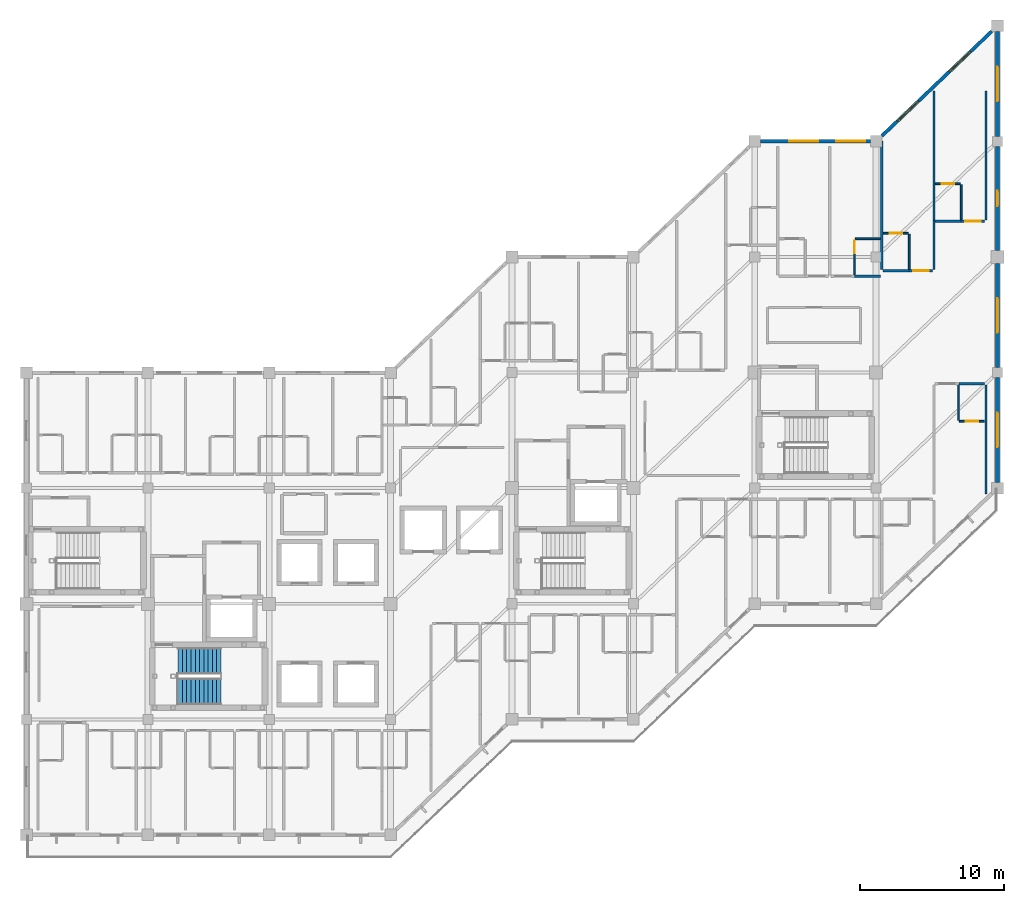
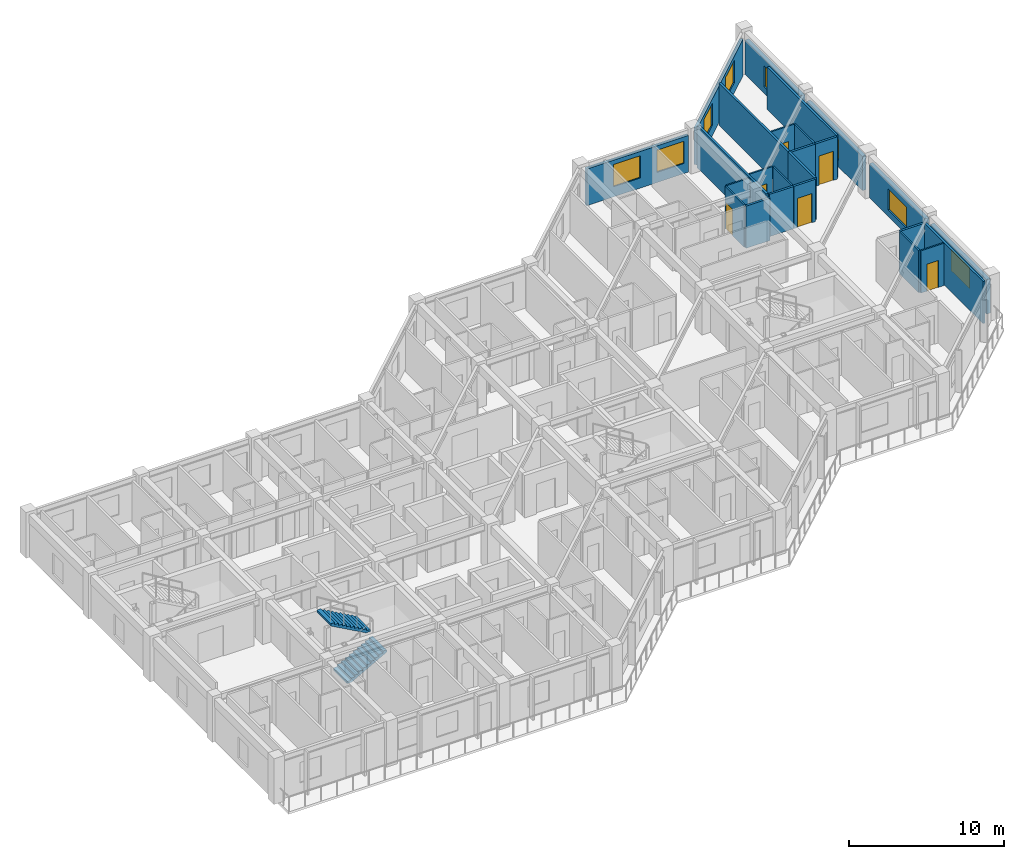
# One storey, part 14 of 17: 25 walls, 8 windows, 6 doors, 2 stair flights, 14 openings, 1 element without a shape of its own.
"""IFC4 building model written with IfcOpenShell, lengths in metres."""

from ifc_helpers import new_model, si_unit, direction, frame, frame_2d, origin, place, context, subcontext, project, spatial, polyline, rectangle, outline, extrude, material, layer, layer_set, type_object, element, fill, aggregate, save


model = new_model("IFC4")

# Units and contexts
model_context = context("Model", 3, precision=1e-05, world=origin(), true_north=direction((0.0, 1.0)))
body_context = subcontext(model_context, "Body", "Model", "MODEL_VIEW")
ifc_project = project(units=[si_unit("LENGTHUNIT", "METRE"), si_unit("AREAUNIT", "SQUARE_METRE"), si_unit("VOLUMEUNIT", "CUBIC_METRE"), si_unit("PLANEANGLEUNIT", "RADIAN"), si_unit("MASSUNIT", "GRAM", prefix="KILO")], contexts=[model_context])

# Site, building, storey
site_placement = place(None, origin())
site = spatial("IfcSite", under=ifc_project, at=site_placement, CompositionType="ELEMENT")
building_placement = place(site_placement, origin())
building = spatial("IfcBuilding", under=site, at=building_placement, Name="Naruveol Harbour Congress Hotel", CompositionType="ELEMENT")
storey_placement = place(building_placement, frame((0.0, 0.0, 25.199951171875)))
storey = spatial("IfcBuildingStorey", under=building, at=storey_placement, Name="L05", CompositionType="ELEMENT", Elevation=25.199951171875)

# Wall, opening, window
ifc_material_1 = material(Name="Precast concrete C40/50", Category="concrete")
ifc_layer_1 = layer(ifc_material_1, 0.280029296875)
ifc_layer_set_1 = layer_set([ifc_layer_1], Name="Precast concrete C40/50")
wall_type_1 = type_object("IfcWallType", Name="ARCHITECTURAL PRECAST FACADE WALL 280", PredefinedType="SOLIDWALL", material=ifc_layer_set_1)
wall_1_placement = place(storey_placement, frame((184.800048828125, 55.60009765625, 0.0), z_axis=(0.0, 0.0, 1.0), x_axis=(0.0, -1.0, 0.0)))
wall_1 = element("IfcWall", 1, at=wall_1_placement, inside=storey, type_object=wall_type_1, Name="Hotel east gable wall L05 EW-280", PredefinedType="SOLIDWALL", context=body_context, shape_type="SweptSolid", body=[
    extrude(rectangle(XDim=7.25, YDim=0.280029296875, at=frame_2d((3.625, 0.0))), origin(), (0.0, 0.0, 1.0), 2.699951171875),
])
opening_1_placement = place(wall_1_placement, frame((2.425048828125, 0.0, 0.5)))
opening_1 = element("IfcOpeningElement", 2, at=opening_1_placement, cuts=wall_1, Name="Opening W-07", PredefinedType="OPENING", context=body_context, shape_type="SweptSolid", body=[
    extrude(rectangle(XDim=2.39990234375, YDim=1.64990234375, at=frame_2d((1.199951171875, 0.824951171875))), frame((0.0, 0.14990234375, 0.0), z_axis=(0.0, -1.0, 0.0), x_axis=(1.0, 0.0, 0.0)), (0.0, 0.0, 1.0), 0.300048828125),
])
ifc_material_2 = material(Name="Low-E Triple Glazing in Thermal Aluminium", Category="aluminium")
window_type_1 = type_object("IfcWindowType", Name="CORNER SUITE WINDOW 2400X1650", PartitioningType="DOUBLE_PANEL_VERTICAL", PredefinedType="WINDOW", material=ifc_material_2)
window_1_placement = place(opening_1_placement, origin())
window_1 = element("IfcWindow", 3, at=window_1_placement, inside=storey, type_object=window_type_1, Name="Window W-07 #338", OverallHeight=1.64990234375, OverallWidth=2.39990234375, PartitioningType="DOUBLE_PANEL_VERTICAL", PredefinedType="WINDOW", context=body_context, shape_type="SweptSolid", body=[
    extrude(rectangle(XDim=2.39990234375, YDim=1.64990234375, at=frame_2d((1.199951171875, 0.824951171875))), frame((0.0, 0.030029296875, 0.0), z_axis=(0.0, -1.0, 0.0), x_axis=(1.0, 0.0, 0.0)), (0.0, 0.0, 1.0), 0.06005859375),
])
fill(opening_1, window_1)

wall_2_placement = place(storey_placement, frame((184.800048828125, 47.64990234375, 0.0), z_axis=(0.0, 0.0, 1.0), x_axis=(0.0, -1.0, 0.0)))
wall_2 = element("IfcWall", 4, at=wall_2_placement, inside=storey, type_object=wall_type_1, Name="Hotel east gable wall L05 EW-280", PredefinedType="SOLIDWALL", context=body_context, shape_type="SweptSolid", body=[
    extrude(rectangle(XDim=7.199951171875, YDim=0.280029296875, at=frame_2d((3.60009765625, 0.0))), origin(), (0.0, 0.0, 1.0), 2.699951171875),
])
opening_2_placement = place(wall_2_placement, frame((3.074951171875, 0.0, 0.5)))
opening_2 = element("IfcOpeningElement", 5, at=opening_2_placement, cuts=wall_2, Name="Opening W-26", PredefinedType="OPENING", context=body_context, shape_type="SweptSolid", body=[
    extrude(rectangle(XDim=1.050048828125, YDim=1.64990234375, at=frame_2d((0.52490234375, 0.824951171875))), frame((0.0, 0.14990234375, 0.0), z_axis=(0.0, -1.0, 0.0), x_axis=(1.0, 0.0, 0.0)), (0.0, 0.0, 1.0), 0.300048828125),
])
ifc_material_3 = material(Name="Low-E Triple Glazing in Thermal Aluminium", Category="aluminium")
window_type_2 = type_object("IfcWindowType", Name="CORRIDOR END VIEW WINDOW 1050X1650", PartitioningType="SINGLE_PANEL", PredefinedType="WINDOW", material=ifc_material_3)
window_2_placement = place(opening_2_placement, origin())
window_2 = element("IfcWindow", 6, at=window_2_placement, inside=storey, type_object=window_type_2, Name="Window W-26 #339", OverallHeight=1.64990234375, OverallWidth=1.050048828125, PartitioningType="SINGLE_PANEL", PredefinedType="WINDOW", context=body_context, shape_type="SweptSolid", body=[
    extrude(rectangle(XDim=1.050048828125, YDim=1.64990234375, at=frame_2d((0.52490234375, 0.824951171875))), frame((0.0, 0.030029296875, 0.0), z_axis=(0.0, -1.0, 0.0), x_axis=(1.0, 0.0, 0.0)), (0.0, 0.0, 1.0), 0.06005859375),
])
fill(opening_2, window_2)

wall_3_placement = place(storey_placement, frame((184.800048828125, 39.550048828125, 0.0), z_axis=(0.0, 0.0, 1.0), x_axis=(0.0, -1.0, 0.0)))
wall_3 = element("IfcWall", 7, at=wall_3_placement, inside=storey, type_object=wall_type_1, Name="Hotel east gable wall L05 EW-280", PredefinedType="SOLIDWALL", context=body_context, shape_type="SweptSolid", body=[
    extrude(rectangle(XDim=7.199951171875, YDim=0.280029296875, at=frame_2d((3.60009765625, 0.0))), origin(), (0.0, 0.0, 1.0), 2.699951171875),
])
opening_3_placement = place(wall_3_placement, frame((2.39990234375, 0.0, 0.5)))
opening_3 = element("IfcOpeningElement", 8, at=opening_3_placement, cuts=wall_3, Name="Opening W-07", PredefinedType="OPENING", context=body_context, shape_type="SweptSolid", body=[
    extrude(rectangle(XDim=2.39990234375, YDim=1.64990234375, at=frame_2d((1.199951171875, 0.824951171875))), frame((0.0, 0.14990234375, 0.0), z_axis=(0.0, -1.0, 0.0), x_axis=(1.0, 0.0, 0.0)), (0.0, 0.0, 1.0), 0.300048828125),
])
window_3_placement = place(opening_3_placement, origin())
window_3 = element("IfcWindow", 9, at=window_3_placement, inside=storey, type_object=window_type_1, Name="Window W-07 #340", OverallHeight=1.64990234375, OverallWidth=2.39990234375, PartitioningType="DOUBLE_PANEL_VERTICAL", PredefinedType="WINDOW", context=body_context, shape_type="SweptSolid", body=[
    extrude(rectangle(XDim=2.39990234375, YDim=1.64990234375, at=frame_2d((1.199951171875, 0.824951171875))), frame((0.0, 0.030029296875, 0.0), z_axis=(0.0, -1.0, 0.0), x_axis=(1.0, 0.0, 0.0)), (0.0, 0.0, 1.0), 0.06005859375),
])
fill(opening_3, window_3)

wall_4_placement = place(storey_placement, frame((184.800048828125, 31.64990234375, 0.0), z_axis=(0.0, 0.0, 1.0), x_axis=(0.0, -1.0, 0.0)))
wall_4 = element("IfcWall", 10, at=wall_4_placement, inside=storey, type_object=wall_type_1, Name="Hotel east gable wall L05 EW-280", PredefinedType="SOLIDWALL", context=body_context, shape_type="SweptSolid", body=[
    extrude(rectangle(XDim=7.25, YDim=0.280029296875, at=frame_2d((3.625, 0.0))), origin(), (0.0, 0.0, 1.0), 2.699951171875),
])
opening_4_placement = place(wall_4_placement, frame((2.425048828125, 0.0, 0.5)))
opening_4 = element("IfcOpeningElement", 11, at=opening_4_placement, cuts=wall_4, Name="Opening W-07", PredefinedType="OPENING", context=body_context, shape_type="SweptSolid", body=[
    extrude(rectangle(XDim=2.39990234375, YDim=1.64990234375, at=frame_2d((1.199951171875, 0.824951171875))), frame((0.0, 0.14990234375, 0.0), z_axis=(0.0, -1.0, 0.0), x_axis=(1.0, 0.0, 0.0)), (0.0, 0.0, 1.0), 0.300048828125),
])
window_4_placement = place(opening_4_placement, origin())
window_4 = element("IfcWindow", 12, at=window_4_placement, inside=storey, type_object=window_type_1, Name="Window W-07 #341", OverallHeight=1.64990234375, OverallWidth=2.39990234375, PartitioningType="DOUBLE_PANEL_VERTICAL", PredefinedType="WINDOW", context=body_context, shape_type="SweptSolid", body=[
    extrude(rectangle(XDim=2.39990234375, YDim=1.64990234375, at=frame_2d((1.199951171875, 0.824951171875))), frame((0.0, 0.030029296875, 0.0), z_axis=(0.0, -1.0, 0.0), x_axis=(1.0, 0.0, 0.0)), (0.0, 0.0, 1.0), 0.06005859375),
])
fill(opening_4, window_4)

# Wall, opening, door
ifc_material_4 = material(Name="Moisture-Resistant Gypsum Partition", Category="gypsum")
ifc_layer_2 = layer(ifc_material_4, 0.114990234375)
ifc_layer_set_2 = layer_set([ifc_layer_2], Name="Moisture-Resistant Gypsum Partition")
wall_type_2 = type_object("IfcWallType", Name="BATHROOM MOISTURE PARTITION WALL 115", PredefinedType="PARTITIONING", material=ifc_layer_set_2)
wall_5_placement = place(storey_placement, frame((174.909912109375, 38.75, 0.0), z_axis=(0.0, 0.0, 1.0), x_axis=(0.0, 1.0, 0.0)))
wall_5 = element("IfcWall", 13, at=wall_5_placement, inside=storey, type_object=wall_type_2, Name="Bathroom west wall 0650 PW-115", PredefinedType="PARTITIONING", context=body_context, shape_type="SweptSolid", body=[
    extrude(rectangle(XDim=2.449951171875, YDim=0.114990234375, at=frame_2d((1.22509765625, 0.0))), origin(), (0.0, 0.0, 1.0), 3.3349609375),
])
opening_5_placement = place(wall_5_placement, frame((1.5, 0.0, 0.0)))
opening_5 = element("IfcOpeningElement", 14, at=opening_5_placement, cuts=wall_5, Name="Opening BD-RM0650", PredefinedType="OPENING", context=body_context, shape_type="SweptSolid", body=[
    extrude(rectangle(XDim=0.860107421875, YDim=2.1201171875, at=frame_2d((0.43017578125, 1.06005859375))), frame((0.0, 0.0673828125, 0.0), z_axis=(0.0, -1.0, 0.0), x_axis=(1.0, 0.0, 0.0)), (0.0, 0.0, 1.0), 0.135009765625),
])
ifc_material_5 = material(Name="Timber & Steel Acoustic Leaf", Category="steel")
door_type_1 = type_object("IfcDoorType", Name="GUEST BATHROOM DOOR 860X2120", OperationType="NOTDEFINED", PredefinedType="DOOR", material=ifc_material_5)
door_1_placement = place(opening_5_placement, origin())
door_1 = element("IfcDoor", 15, at=door_1_placement, inside=storey, type_object=door_type_1, Name="Bathroom Door 0650", OperationType="SINGLE_SWING_RIGHT", OverallHeight=2.1201171875, OverallWidth=0.860107421875, PredefinedType="DOOR", context=body_context, shape_type="SweptSolid", body=[
    extrude(rectangle(XDim=0.860107421875, YDim=2.1201171875, at=frame_2d((0.43017578125, 1.06005859375))), frame((0.0, 0.02490234375, 0.0), z_axis=(0.0, -1.0, 0.0), x_axis=(1.0, 0.0, 0.0)), (0.0, 0.0, 1.0), 0.050048828125),
])
fill(opening_5, door_1)

# Walls
wall_6_placement = place(storey_placement, frame((174.969970703125, 41.260009765625, 0.0), z_axis=(0.0, 0.0, 1.0), x_axis=(1.0, 0.0, 0.0)))
element("IfcWall", 16, at=wall_6_placement, inside=storey, type_object=wall_type_2, Name="Bathroom north wall 0650 PW-115", PredefinedType="PARTITIONING", context=body_context, shape_type="SweptSolid", body=[
    extrude(rectangle(XDim=1.72998046875, YDim=0.114990234375, at=frame_2d((0.864990234375, 0.0))), origin(), (0.0, 0.0, 1.0), 3.3349609375),
])
wall_7_placement = place(storey_placement, frame((178.68994140625, 39.1298828125, 0.0), z_axis=(0.0, 0.0, 1.0), x_axis=(0.0, 1.0, 0.0)))
element("IfcWall", 17, at=wall_7_placement, inside=storey, type_object=wall_type_2, Name="Bathroom east wall 0651 PW-115", PredefinedType="PARTITIONING", context=body_context, shape_type="SweptSolid", body=[
    extrude(rectangle(XDim=2.4501953125, YDim=0.114990234375, at=frame_2d((1.22509765625, 0.0))), origin(), (0.0, 0.0, 1.0), 3.3349609375),
])

# Wall, opening, door
wall_8_placement = place(storey_placement, frame((176.89990234375, 41.639892578125, 0.0), z_axis=(0.0, 0.0, 1.0), x_axis=(1.0, 0.0, 0.0)))
wall_8 = element("IfcWall", 18, at=wall_8_placement, inside=storey, type_object=wall_type_2, Name="Bathroom north wall 0651 PW-115", PredefinedType="PARTITIONING", context=body_context, shape_type="SweptSolid", body=[
    extrude(rectangle(XDim=1.72998046875, YDim=0.114990234375, at=frame_2d((0.864990234375, 0.0))), origin(), (0.0, 0.0, 1.0), 3.3349609375),
])
opening_6_placement = place(wall_8_placement, frame((0.43505859375, 0.0, 0.0)))
opening_6 = element("IfcOpeningElement", 19, at=opening_6_placement, cuts=wall_8, Name="Opening BD-RM0651", PredefinedType="OPENING", context=body_context, shape_type="SweptSolid", body=[
    extrude(rectangle(XDim=0.860107421875, YDim=2.1201171875, at=frame_2d((0.43017578125, 1.06005859375))), frame((0.0, 0.0673828125, 0.0), z_axis=(0.0, -1.0, 0.0), x_axis=(1.0, 0.0, 0.0)), (0.0, 0.0, 1.0), 0.135009765625),
])
door_2_placement = place(opening_6_placement, origin())
door_2 = element("IfcDoor", 20, at=door_2_placement, inside=storey, type_object=door_type_1, Name="Bathroom Door 0651", OperationType="SINGLE_SWING_RIGHT", OverallHeight=2.1201171875, OverallWidth=0.860107421875, PredefinedType="DOOR", context=body_context, shape_type="SweptSolid", body=[
    extrude(rectangle(XDim=0.860107421875, YDim=2.1201171875, at=frame_2d((0.43017578125, 1.06005859375))), frame((0.0, 0.02490234375, 0.0), z_axis=(0.0, -1.0, 0.0), x_axis=(1.0, 0.0, 0.0)), (0.0, 0.0, 1.0), 0.050048828125),
])
fill(opening_6, door_2)

# Wall
wall_9_placement = place(storey_placement, frame((182.2900390625, 42.56005859375, 0.0), z_axis=(0.0, 0.0, 1.0), x_axis=(0.0, 1.0, 0.0)))
element("IfcWall", 21, at=wall_9_placement, inside=storey, type_object=wall_type_2, Name="Bathroom east wall 0652 PW-115", PredefinedType="PARTITIONING", context=body_context, shape_type="SweptSolid", body=[
    extrude(rectangle(XDim=2.449951171875, YDim=0.114990234375, at=frame_2d((1.22509765625, 0.0))), origin(), (0.0, 0.0, 1.0), 3.3349609375),
])

# Wall, opening, door
wall_10_placement = place(storey_placement, frame((180.5, 45.070068359375, 0.0), z_axis=(0.0, 0.0, 1.0), x_axis=(1.0, 0.0, 0.0)))
wall_10 = element("IfcWall", 22, at=wall_10_placement, inside=storey, type_object=wall_type_2, Name="Bathroom north wall 0652 PW-115", PredefinedType="PARTITIONING", context=body_context, shape_type="SweptSolid", body=[
    extrude(rectangle(XDim=1.72998046875, YDim=0.114990234375, at=frame_2d((0.864990234375, 0.0))), origin(), (0.0, 0.0, 1.0), 3.3349609375),
])
opening_7_placement = place(wall_10_placement, frame((0.43505859375, 0.0, 0.0)))
opening_7 = element("IfcOpeningElement", 23, at=opening_7_placement, cuts=wall_10, Name="Opening BD-RM0652", PredefinedType="OPENING", context=body_context, shape_type="SweptSolid", body=[
    extrude(rectangle(XDim=0.860107421875, YDim=2.1201171875, at=frame_2d((0.43017578125, 1.06005859375))), frame((0.0, 0.0673828125, 0.0), z_axis=(0.0, -1.0, 0.0), x_axis=(1.0, 0.0, 0.0)), (0.0, 0.0, 1.0), 0.135009765625),
])
door_3_placement = place(opening_7_placement, origin())
door_3 = element("IfcDoor", 24, at=door_3_placement, inside=storey, type_object=door_type_1, Name="Bathroom Door 0652", OperationType="SINGLE_SWING_RIGHT", OverallHeight=2.1201171875, OverallWidth=0.860107421875, PredefinedType="DOOR", context=body_context, shape_type="SweptSolid", body=[
    extrude(rectangle(XDim=0.860107421875, YDim=2.1201171875, at=frame_2d((0.43017578125, 1.06005859375))), frame((0.0, 0.02490234375, 0.0), z_axis=(0.0, -1.0, 0.0), x_axis=(1.0, 0.0, 0.0)), (0.0, 0.0, 1.0), 0.050048828125),
])
fill(opening_7, door_3)

# Wall
wall_11_placement = place(storey_placement, frame((182.110107421875, 28.68994140625, 0.0), z_axis=(0.0, 0.0, 1.0), x_axis=(0.0, 1.0, 0.0)))
element("IfcWall", 25, at=wall_11_placement, inside=storey, type_object=wall_type_2, Name="Bathroom west wall 0633 PW-115", PredefinedType="PARTITIONING", context=body_context, shape_type="SweptSolid", body=[
    extrude(rectangle(XDim=2.449951171875, YDim=0.114990234375, at=frame_2d((1.22509765625, 0.0))), origin(), (0.0, 0.0, 1.0), 3.3349609375),
])

# Wall, opening, door
wall_12_placement = place(storey_placement, frame((182.169921875, 28.6298828125, 0.0), z_axis=(0.0, 0.0, 1.0), x_axis=(1.0, 0.0, 0.0)))
wall_12 = element("IfcWall", 26, at=wall_12_placement, inside=storey, type_object=wall_type_2, Name="Bathroom south wall 0633 PW-115", PredefinedType="PARTITIONING", context=body_context, shape_type="SweptSolid", body=[
    extrude(rectangle(XDim=1.72998046875, YDim=0.114990234375, at=frame_2d((0.864990234375, 0.0))), origin(), (0.0, 0.0, 1.0), 3.3349609375),
])
opening_8_placement = place(wall_12_placement, frame((0.43505859375, 0.0, 0.0)))
opening_8 = element("IfcOpeningElement", 27, at=opening_8_placement, cuts=wall_12, Name="Opening BD-RM0633", PredefinedType="OPENING", context=body_context, shape_type="SweptSolid", body=[
    extrude(rectangle(XDim=0.860107421875, YDim=2.1201171875, at=frame_2d((0.43017578125, 1.06005859375))), frame((0.0, 0.0673828125, 0.0), z_axis=(0.0, -1.0, 0.0), x_axis=(1.0, 0.0, 0.0)), (0.0, 0.0, 1.0), 0.135009765625),
])
door_4_placement = place(opening_8_placement, origin())
door_4 = element("IfcDoor", 28, at=door_4_placement, inside=storey, type_object=door_type_1, Name="Bathroom Door 0633", OperationType="SINGLE_SWING_RIGHT", OverallHeight=2.1201171875, OverallWidth=0.860107421875, PredefinedType="DOOR", context=body_context, shape_type="SweptSolid", body=[
    extrude(rectangle(XDim=0.860107421875, YDim=2.1201171875, at=frame_2d((0.43017578125, 1.06005859375))), frame((0.0, 0.02490234375, 0.0), z_axis=(0.0, -1.0, 0.0), x_axis=(1.0, 0.0, 0.0)), (0.0, 0.0, 1.0), 0.050048828125),
])
fill(opening_8, door_4)

# Walls
ifc_material_6 = material(Name="Autoclaved Aerated Concrete Block", Category="concrete")
ifc_layer_3 = layer(ifc_material_6, 0.159912109375)
ifc_layer_set_3 = layer_set([ifc_layer_3], Name="Autoclaved Aerated Concrete Block")
wall_type_3 = type_object("IfcWallType", Name="HOTEL PARTY AND CORRIDOR WALL 160 EI60", PredefinedType="PARTITIONING", material=ifc_layer_set_3)
for number, where, z_axis, x_axis, name in (
    (29, (174.919921875, 38.659912109375, 0.0), (0.0, 0.0, 1.0), (1.0, 0.0, 0.0), "Corridor wall 0650B PW-160"),
    (30, (176.889892578125, 39.0400390625, 0.0), (0.0, 0.0, 1.0), (1.0, 0.0, 0.0), "Corridor wall 0651B PW-160"),
):
    element("IfcWall", number, at=place(storey_placement, frame(where, z_axis=z_axis, x_axis=x_axis)), inside=storey, type_object=wall_type_3, Name=name, PredefinedType="PARTITIONING", context=body_context, shape_type="SweptSolid", body=[
        extrude(rectangle(XDim=1.7900390625, YDim=0.159912109375, at=frame_2d((0.89501953125, 0.0))), origin(), (0.0, 0.0, 1.0), 3.3349609375),
    ])

# Wall, opening, door
wall_13_placement = place(storey_placement, frame((178.68994140625, 39.0400390625, 0.0), z_axis=(0.0, 0.0, 1.0), x_axis=(1.0, 0.0, 0.0)))
wall_13 = element("IfcWall", 31, at=wall_13_placement, inside=storey, type_object=wall_type_3, Name="Corridor entry wall 0651 PW-160", PredefinedType="PARTITIONING", context=body_context, shape_type="SweptSolid", body=[
    extrude(rectangle(XDim=1.6201171875, YDim=0.159912109375, at=frame_2d((0.81005859375, 0.0))), origin(), (0.0, 0.0, 1.0), 3.3349609375),
])
opening_9_placement = place(wall_13_placement, frame((0.27001953125, 0.0, 0.0)))
opening_9 = element("IfcOpeningElement", 32, at=opening_9_placement, cuts=wall_13, Name="Opening FD-RM0651", PredefinedType="OPENING", context=body_context, shape_type="SweptSolid", body=[
    extrude(rectangle(XDim=1.080078125, YDim=2.300048828125, at=frame_2d((0.5400390625, 1.14990234375))), frame((0.0, 0.08984375, 0.0), z_axis=(0.0, -1.0, 0.0), x_axis=(1.0, 0.0, 0.0)), (0.0, 0.0, 1.0), 0.179931640625),
])
ifc_material_7 = material(Name="Timber & Steel Acoustic Leaf", Category="steel")
door_type_2 = type_object("IfcDoorType", Name="SUITE ENTRANCE FIRE DOOR 1080X2300", OperationType="NOTDEFINED", PredefinedType="DOOR", material=ifc_material_7)
door_5_placement = place(opening_9_placement, origin())
door_5 = element("IfcDoor", 33, at=door_5_placement, inside=storey, type_object=door_type_2, Name="Hotel Room Door 0651", OperationType="SINGLE_SWING_LEFT", OverallHeight=2.300048828125, OverallWidth=1.080078125, PredefinedType="DOOR", context=body_context, shape_type="SweptSolid", body=[
    extrude(rectangle(XDim=1.080078125, YDim=2.300048828125, at=frame_2d((0.5400390625, 1.14990234375))), frame((0.0, 0.02490234375, 0.0), z_axis=(0.0, -1.0, 0.0), x_axis=(1.0, 0.0, 0.0)), (0.0, 0.0, 1.0), 0.050048828125),
])
fill(opening_9, door_5)

# Walls
wall_14_placement = place(storey_placement, frame((176.800048828125, 39.1298828125, 0.0), z_axis=(0.0, 0.0, 1.0), x_axis=(0.0, 1.0, 0.0)))
element("IfcWall", 34, at=wall_14_placement, inside=storey, type_object=wall_type_3, Name="Hotel party wall 0651 PW-160", PredefinedType="PARTITIONING", context=body_context, shape_type="SweptSolid", body=[
    extrude(rectangle(XDim=8.91015625, YDim=0.159912109375, at=frame_2d((4.455078125, 0.0))), origin(), (0.0, 0.0, 1.0), 3.3349609375),
])
wall_15_placement = place(storey_placement, frame((180.39990234375, 39.1298828125, 0.0), z_axis=(0.0, 0.0, 1.0), x_axis=(0.0, 1.0, 0.0)))
element("IfcWall", 35, at=wall_15_placement, inside=storey, type_object=wall_type_3, Name="Hotel end party wall 0651 PW-160", PredefinedType="PARTITIONING", context=body_context, shape_type="SweptSolid", body=[
    extrude(rectangle(XDim=3.420166015625, YDim=0.159912109375, at=frame_2d((1.7099609375, 0.0))), origin(), (0.0, 0.0, 1.0), 3.3349609375),
])
wall_16_placement = place(storey_placement, frame((180.489990234375, 42.469970703125, 0.0), z_axis=(0.0, 0.0, 1.0), x_axis=(1.0, 0.0, 0.0)))
element("IfcWall", 36, at=wall_16_placement, inside=storey, type_object=wall_type_3, Name="Corridor wall 0652B PW-160", PredefinedType="PARTITIONING", context=body_context, shape_type="SweptSolid", body=[
    extrude(rectangle(XDim=1.7900390625, YDim=0.159912109375, at=frame_2d((0.89501953125, 0.0))), origin(), (0.0, 0.0, 1.0), 3.3349609375),
])

# Wall, opening, door
wall_17_placement = place(storey_placement, frame((182.2900390625, 42.469970703125, 0.0), z_axis=(0.0, 0.0, 1.0), x_axis=(1.0, 0.0, 0.0)))
wall_17 = element("IfcWall", 37, at=wall_17_placement, inside=storey, type_object=wall_type_3, Name="Corridor entry wall 0652 PW-160", PredefinedType="PARTITIONING", context=body_context, shape_type="SweptSolid", body=[
    extrude(rectangle(XDim=1.619873046875, YDim=0.159912109375, at=frame_2d((0.81005859375, 0.0))), origin(), (0.0, 0.0, 1.0), 3.3349609375),
])
opening_10_placement = place(wall_17_placement, frame((0.27001953125, 0.0, 0.0)))
opening_10 = element("IfcOpeningElement", 38, at=opening_10_placement, cuts=wall_17, Name="Opening FD-RM0652", PredefinedType="OPENING", context=body_context, shape_type="SweptSolid", body=[
    extrude(rectangle(XDim=1.080078125, YDim=2.300048828125, at=frame_2d((0.5400390625, 1.14990234375))), frame((0.0, 0.08984375, 0.0), z_axis=(0.0, -1.0, 0.0), x_axis=(1.0, 0.0, 0.0)), (0.0, 0.0, 1.0), 0.179931640625),
])
door_6_placement = place(opening_10_placement, origin())
door_6 = element("IfcDoor", 39, at=door_6_placement, inside=storey, type_object=door_type_2, Name="Hotel Room Door 0652", OperationType="SINGLE_SWING_LEFT", OverallHeight=2.300048828125, OverallWidth=1.080078125, PredefinedType="DOOR", context=body_context, shape_type="SweptSolid", body=[
    extrude(rectangle(XDim=1.080078125, YDim=2.300048828125, at=frame_2d((0.5400390625, 1.14990234375))), frame((0.0, 0.02490234375, 0.0), z_axis=(0.0, -1.0, 0.0), x_axis=(1.0, 0.0, 0.0)), (0.0, 0.0, 1.0), 0.050048828125),
])
fill(opening_10, door_6)

# Walls
for number, where, z_axis, x_axis, name in (
    (40, (180.39990234375, 42.56005859375, 0.0), (0.0, 0.0, 1.0), (0.0, 1.0, 0.0), "Hotel party wall 0652 PW-160"),
    (41, (184.0, 42.56005859375, 0.0), (0.0, 0.0, 1.0), (0.0, 1.0, 0.0), "Hotel end party wall 0652 PW-160"),
):
    element("IfcWall", number, at=place(storey_placement, frame(where, z_axis=z_axis, x_axis=x_axis)), inside=storey, type_object=wall_type_3, Name=name, PredefinedType="PARTITIONING", context=body_context, shape_type="SweptSolid", body=[
        extrude(rectangle(XDim=8.909912109375, YDim=0.159912109375, at=frame_2d((4.455078125, 0.0))), origin(), (0.0, 0.0, 1.0), 3.3349609375),
    ])
wall_18_placement = place(storey_placement, frame((182.1201171875, 31.22998046875, 0.0), z_axis=(0.0, 0.0, 1.0), x_axis=(1.0, 0.0, 0.0)))
element("IfcWall", 42, at=wall_18_placement, inside=storey, type_object=wall_type_3, Name="Corridor wall 0633B PW-160", PredefinedType="PARTITIONING", context=body_context, shape_type="SweptSolid", body=[
    extrude(rectangle(XDim=1.789794921875, YDim=0.159912109375, at=frame_2d((0.89501953125, 0.0))), origin(), (0.0, 0.0, 1.0), 3.3349609375),
])
wall_19_placement = place(storey_placement, frame((184.0, 23.580078125, 0.0), z_axis=(0.0, 0.0, 1.0), x_axis=(0.0, 1.0, 0.0)))
element("IfcWall", 43, at=wall_19_placement, inside=storey, type_object=wall_type_3, Name="Hotel end party wall 0633 PW-160", PredefinedType="PARTITIONING", context=body_context, shape_type="SweptSolid", body=[
    extrude(rectangle(XDim=7.559814453125, YDim=0.159912109375, at=frame_2d((3.77978515625, 0.0))), origin(), (0.0, 0.0, 1.0), 3.3349609375),
])

# Wall, openings, windows
ifc_material_8 = material(Name="Concrete C40/50", Category="concrete")
ifc_layer_4 = layer(ifc_material_8, 0.239990234375)
ifc_layer_set_4 = layer_set([ifc_layer_4], Name="Concrete C40/50")
wall_type_4 = type_object("IfcWallType", Name="INSULATED HOTEL SPANDREL WALL 240", PredefinedType="SOLIDWALL", material=ifc_layer_set_4)
wall_20_placement = place(storey_placement, frame((168.39990234375, 48.0, 0.0), z_axis=(0.0, 0.0, 1.0), x_axis=(1.0, 0.0, 0.0)))
wall_20 = element("IfcWall", 44, at=wall_20_placement, inside=storey, type_object=wall_type_4, Name="Hotel north bay wall L05 EW-240", PredefinedType="SOLIDWALL", context=body_context, shape_type="SweptSolid", body=[
    extrude(rectangle(XDim=7.60009765625, YDim=0.239990234375, at=frame_2d((3.800048828125, 0.0))), origin(), (0.0, 0.0, 1.0), 2.89013671875),
])
opening_11_placement = place(wall_20_placement, frame((2.0, 0.0, 0.800048828125)))
opening_11 = element("IfcOpeningElement", 45, at=opening_11_placement, cuts=wall_20, Name="Opening W-05", PredefinedType="OPENING", context=body_context, shape_type="SweptSolid", body=[
    extrude(rectangle(XDim=2.0, YDim=1.75, at=frame_2d((1.0, 0.875))), frame((0.0, 0.1298828125, 0.0), z_axis=(0.0, -1.0, 0.0), x_axis=(1.0, 0.0, 0.0)), (0.0, 0.0, 1.0), 0.260009765625),
])
opening_12_placement = place(wall_20_placement, frame((5.25, 0.0, 0.800048828125)))
opening_12 = element("IfcOpeningElement", 46, at=opening_12_placement, cuts=wall_20, Name="Opening W-05", PredefinedType="OPENING", context=body_context, shape_type="SweptSolid", body=[
    extrude(rectangle(XDim=2.0, YDim=1.75, at=frame_2d((1.0, 0.875))), frame((0.0, 0.1298828125, 0.0), z_axis=(0.0, -1.0, 0.0), x_axis=(1.0, 0.0, 0.0)), (0.0, 0.0, 1.0), 0.260009765625),
])
ifc_material_9 = material(Name="Low-E Triple Glazing in Thermal Aluminium", Category="aluminium")
window_type_3 = type_object("IfcWindowType", Name="GARDEN SUITE WINDOW 2000X1750", PartitioningType="DOUBLE_PANEL_VERTICAL", PredefinedType="WINDOW", material=ifc_material_9)
window_5_placement = place(opening_11_placement, origin())
window_5 = element("IfcWindow", 47, at=window_5_placement, inside=storey, type_object=window_type_3, Name="Window W-05 #333", OverallHeight=1.75, OverallWidth=2.0, PartitioningType="DOUBLE_PANEL_VERTICAL", PredefinedType="WINDOW", context=body_context, shape_type="SweptSolid", body=[
    extrude(rectangle(XDim=2.0, YDim=1.75, at=frame_2d((1.0, 0.875))), frame((0.0, 0.030029296875, 0.0), z_axis=(0.0, -1.0, 0.0), x_axis=(1.0, 0.0, 0.0)), (0.0, 0.0, 1.0), 0.06005859375),
])
fill(opening_11, window_5)
window_6_placement = place(opening_12_placement, origin())
window_6 = element("IfcWindow", 48, at=window_6_placement, inside=storey, type_object=window_type_3, Name="Window W-05 #334", OverallHeight=1.75, OverallWidth=2.0, PartitioningType="DOUBLE_PANEL_VERTICAL", PredefinedType="WINDOW", context=body_context, shape_type="SweptSolid", body=[
    extrude(rectangle(XDim=2.0, YDim=1.75, at=frame_2d((1.0, 0.875))), frame((0.0, 0.030029296875, 0.0), z_axis=(0.0, -1.0, 0.0), x_axis=(1.0, 0.0, 0.0)), (0.0, 0.0, 1.0), 0.06005859375),
])
fill(opening_12, window_6)

wall_21_placement = place(storey_placement, frame((176.800048828125, 48.381103515625, 0.0), z_axis=(0.0, 0.0, 1.0), x_axis=(0.724145676014, 0.689647040094, 0.0)))
wall_21 = element("IfcWall", 49, at=wall_21_placement, inside=storey, type_object=wall_type_4, Name="Hotel north bay wall L05 EW-240", PredefinedType="SOLIDWALL", context=body_context, shape_type="SweptSolid", body=[
    extrude(rectangle(XDim=10.494873046875, YDim=0.239990234375, at=frame_2d((5.24755859375, 0.0))), origin(), (0.0, 0.0, 1.0), 2.89013671875),
])
opening_13_placement = place(wall_21_placement, frame((1.486083984375, 0.0, 0.800048828125)))
opening_13 = element("IfcOpeningElement", 50, at=opening_13_placement, cuts=wall_21, Name="Opening W-05", PredefinedType="OPENING", context=body_context, shape_type="SweptSolid", body=[
    extrude(rectangle(XDim=2.0, YDim=1.75, at=frame_2d((1.0, 0.875))), frame((0.0, 0.1298828125, 0.0), z_axis=(0.0, -1.0, 0.0), x_axis=(1.0, 0.0, 0.0)), (0.0, 0.0, 1.0), 0.260009765625),
])
opening_14_placement = place(wall_21_placement, frame((6.45703125, 0.0, 0.800048828125)))
opening_14 = element("IfcOpeningElement", 51, at=opening_14_placement, cuts=wall_21, Name="Opening W-05", PredefinedType="OPENING", context=body_context, shape_type="SweptSolid", body=[
    extrude(rectangle(XDim=2.0, YDim=1.75, at=frame_2d((1.0, 0.875))), frame((0.0, 0.1298828125, 0.0), z_axis=(0.0, -1.0, 0.0), x_axis=(1.0, 0.0, 0.0)), (0.0, 0.0, 1.0), 0.260009765625),
])
window_7_placement = place(opening_13_placement, origin())
window_7 = element("IfcWindow", 52, at=window_7_placement, inside=storey, type_object=window_type_3, Name="Window W-05 #336", OverallHeight=1.75, OverallWidth=2.0, PartitioningType="DOUBLE_PANEL_VERTICAL", PredefinedType="WINDOW", context=body_context, shape_type="SweptSolid", body=[
    extrude(rectangle(XDim=2.0, YDim=1.75, at=frame_2d((1.0, 0.875))), frame((0.0, 0.030029296875, 0.0), z_axis=(0.0, -1.0, 0.0), x_axis=(1.0, 0.0, 0.0)), (0.0, 0.0, 1.0), 0.06005859375),
])
fill(opening_13, window_7)
window_8_placement = place(opening_14_placement, origin())
window_8 = element("IfcWindow", 53, at=window_8_placement, inside=storey, type_object=window_type_3, Name="Window W-05 #337", OverallHeight=1.75, OverallWidth=2.0, PartitioningType="DOUBLE_PANEL_VERTICAL", PredefinedType="WINDOW", context=body_context, shape_type="SweptSolid", body=[
    extrude(rectangle(XDim=2.0, YDim=1.75, at=frame_2d((1.0, 0.875))), frame((0.0, 0.030029296875, 0.0), z_axis=(0.0, -1.0, 0.0), x_axis=(1.0, 0.0, 0.0)), (0.0, 0.0, 1.0), 0.06005859375),
])
fill(opening_14, window_8)

# Stair, stair flights
ifc_material_10 = material(Name="Concrete C40/50", Category="concrete")
stair_type = type_object("IfcStairType", Name="RC DOG LEG ESCAPE STAIR 1800W H3600", PredefinedType="HALF_TURN_STAIR", material=ifc_material_10)
stair_placement = place(storey_placement, origin())
stair = element("IfcStair", 54, at=stair_placement, inside=storey, type_object=stair_type, Name="Special Escape Stair ST1 L05 to L06", PredefinedType="HALF_TURN_STAIR")
ifc_material_11 = material(Name="Concrete C40/50", Category="concrete")
stair_flight_type = type_object("IfcStairFlightType", Name="RC STRAIGHT STAIR FLIGHT 1800W R11", PredefinedType="STRAIGHT", material=ifc_material_11)
stair_flight_1_placement = place(storey_placement, frame((128.10009765625, 9.919921875, 0.0), z_axis=(0.0, 0.0, 1.0), x_axis=(1.0, 0.0, 0.0)))
stair_flight_1 = element("IfcStairFlight", 55, at=stair_flight_1_placement, type_object=stair_flight_type, Name="ST1 L05 lower flight", NumberOfRisers=11, NumberOfTreads=10, PredefinedType="STRAIGHT", RiserHeight=0.163636, TreadLength=0.295, context=body_context, shape_type="SweptSolid", body=[
    extrude(outline(polyline([(0.0, 0.0), (0.0, 0.16357421875), (0.294921875, 0.16357421875), (0.294921875, 0.327392578125), (0.590087890625, 0.327392578125), (0.590087890625, 0.490966796875), (0.885009765625, 0.490966796875), (0.885009765625, 0.654541015625), (1.179931640625, 0.654541015625), (1.179931640625, 0.818115234375), (1.47509765625, 0.818115234375), (1.47509765625, 0.98193359375), (1.77001953125, 0.98193359375), (1.77001953125, 1.1455078125), (2.06494140625, 1.1455078125), (2.06494140625, 1.30908203125), (2.360107421875, 1.30908203125), (2.360107421875, 1.47265625), (2.655029296875, 1.47265625), (2.655029296875, 1.636474609375), (2.949951171875, 1.636474609375), (2.949951171875, 1.800048828125), (2.949951171875, 1.45361328125), (0.32958984375, 0.0), (0.0, 0.0)])), frame((0.0, 0.89990234375, 0.0), z_axis=(0.0, -1.0, 0.0), x_axis=(1.0, 0.0, 0.0)), (0.0, 0.0, 1.0), 1.800048828125),
])
stair_flight_2_placement = place(storey_placement, frame((131.050048828125, 12.0400390625, 1.800048828125), z_axis=(0.0, 0.0, 1.0), x_axis=(-1.0, 0.0, 0.0)))
stair_flight_2 = element("IfcStairFlight", 56, at=stair_flight_2_placement, type_object=stair_flight_type, Name="ST1 L05 upper flight", NumberOfRisers=11, NumberOfTreads=10, PredefinedType="STRAIGHT", RiserHeight=0.163636, TreadLength=0.295, context=body_context, shape_type="SweptSolid", body=[
    extrude(outline(polyline([(0.0, 0.0), (0.0, 0.16357421875), (0.294921875, 0.16357421875), (0.294921875, 0.327392578125), (0.590087890625, 0.327392578125), (0.590087890625, 0.490966796875), (0.885009765625, 0.490966796875), (0.885009765625, 0.654541015625), (1.179931640625, 0.654541015625), (1.179931640625, 0.818115234375), (1.47509765625, 0.818115234375), (1.47509765625, 0.98193359375), (1.77001953125, 0.98193359375), (1.77001953125, 1.1455078125), (2.06494140625, 1.1455078125), (2.06494140625, 1.30908203125), (2.360107421875, 1.30908203125), (2.360107421875, 1.47265625), (2.655029296875, 1.47265625), (2.655029296875, 1.636474609375), (2.949951171875, 1.636474609375), (2.949951171875, 1.800048828125), (2.949951171875, 1.45361328125), (0.32958984375, 0.0), (0.0, 0.0)])), frame((0.0, 0.89990234375, 0.0), z_axis=(0.0, -1.0, 0.0), x_axis=(1.0, 0.0, 0.0)), (0.0, 0.0, 1.0), 1.800048828125),
])
aggregate(stair, [stair_flight_1, stair_flight_2])

save(model, "model.ifc")
